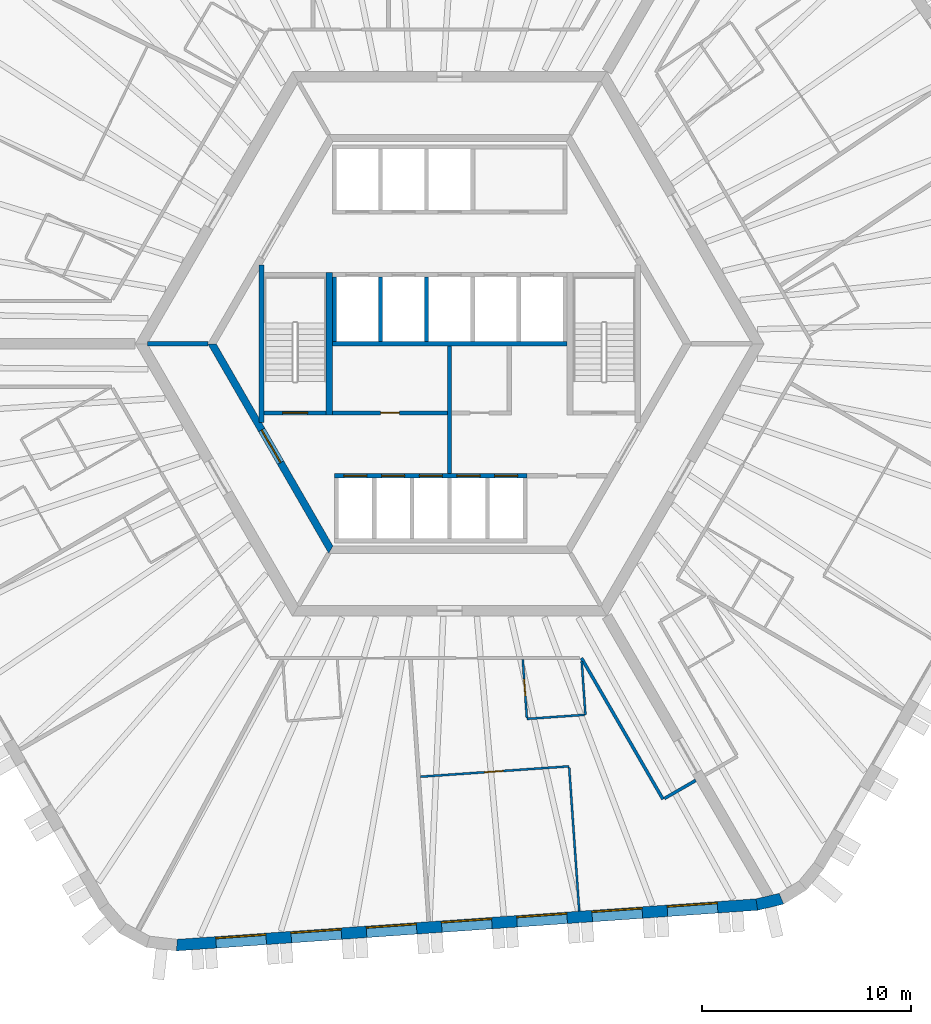
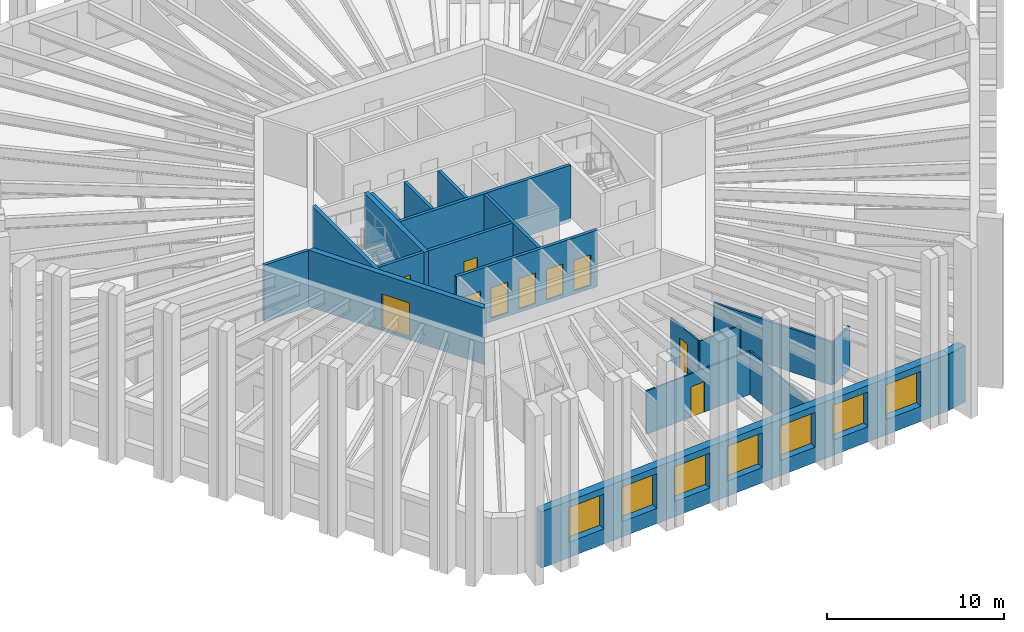
# One storey, part 4 of 10: 21 walls, 10 doors, 7 windows, 17 openings.
"""IFC4 building model written with IfcOpenShell, lengths in metres."""

import ifcopenshell
import ifcopenshell.guid

model = None  # the IFC model being written
_history = None  # IfcOwnerHistory: only IFC2X3 demands one
_inside = {}  # id of a spatial element -> (the spatial element, [elements in it])
_under = {}  # id of a project, library or spatial element -> (it, [spatial elements below it])
_declared = {}  # id of a project -> (the project, [libraries it declares])
_typed = {}  # id of a type object -> (the type object, [elements of that type])
_made_of = {}  # id of a material, layer set ... -> (it, [elements and type objects made of it])


def new_model(schema):
    """Start an empty IFC model of exactly this schema.

    Asked for "IFC4X3", IfcOpenShell would pick the latest addendum, in which some entities
    have other attributes; the version numbers below select the first issue.
    IFC2X3 requires an IfcOwnerHistory on every rooted entity: one is made here for all.
    """
    global model, _history
    if schema == "IFC4X3":
        model = ifcopenshell.file(schema_version=(4, 3, 0, 0))
    else:
        model = ifcopenshell.file(schema=schema)
    _inside.clear()
    _under.clear()
    _declared.clear()
    _typed.clear()
    _made_of.clear()
    _history = None
    if model.schema == "IFC2X3":
        org = make("IfcOrganization", Name="unknown")
        user = make(
            "IfcPersonAndOrganization",
            ThePerson=make("IfcPerson", FamilyName="unknown"),
            TheOrganization=org,
        )
        app = make(
            "IfcApplication",
            ApplicationDeveloper=org,
            Version="unknown",
            ApplicationFullName="unknown",
            ApplicationIdentifier="unknown",
        )
        _history = make(
            "IfcOwnerHistory",
            OwningUser=user,
            OwningApplication=app,
            ChangeAction="ADDED",
            CreationDate=0,
        )
    return model


def make(cls, **values):
    """One entity of the class cls with the attributes given. An attribute that is None is left unset."""
    return model.create_entity(
        cls, **{name: value for name, value in values.items() if value is not None}
    )


def rooted(cls, **values):
    """An entity with a GlobalId (a new one), such as an element, a storey or a relation."""
    return make(cls, GlobalId=ifcopenshell.guid.new(), OwnerHistory=_history, **values)


def si_unit(unit_type, name, prefix=None):
    """IfcSIUnit, for example si_unit("LENGTHUNIT", "METRE", prefix="MILLI")."""
    return make("IfcSIUnit", UnitType=unit_type, Prefix=prefix, Name=name)


def assignment(units):
    """IfcUnitAssignment: the units of a project."""
    return None if units is None else make("IfcUnitAssignment", Units=units)


def point(xyz):
    """IfcCartesianPoint."""
    return None if xyz is None else make("IfcCartesianPoint", Coordinates=xyz)


def direction(xyz):
    """IfcDirection."""
    return None if xyz is None else make("IfcDirection", DirectionRatios=xyz)


def frame(location, z_axis=None, x_axis=None):
    """IfcAxis2Placement3D, a coordinate frame: its origin and axes. An axis left out is left unset."""
    return make(
        "IfcAxis2Placement3D",
        Location=point(location),
        Axis=direction(z_axis),
        RefDirection=direction(x_axis),
    )


def frame_2d(location, x_axis=None):
    """IfcAxis2Placement2D, a coordinate frame in the plane: its origin and x axis."""
    return make(
        "IfcAxis2Placement2D", Location=point(location), RefDirection=direction(x_axis)
    )


def origin():
    """The frame at (0, 0, 0) with its axes left unset."""
    return frame((0.0, 0.0, 0.0))


def place(relative_to, where):
    """IfcLocalPlacement: puts the frame where relative to a parent placement (None: the world)."""
    return make(
        "IfcLocalPlacement", PlacementRelTo=relative_to, RelativePlacement=where
    )


def context(
    kind, dimensions, precision=None, world=None, true_north=None, identifier=None
):
    """IfcGeometricRepresentationContext, for example the 3D "Model" context."""
    return make(
        "IfcGeometricRepresentationContext",
        ContextIdentifier=identifier,
        ContextType=kind,
        CoordinateSpaceDimension=dimensions,
        Precision=precision,
        WorldCoordinateSystem=world,
        TrueNorth=true_north,
    )


def subcontext(parent, identifier, kind, view, scale=None):
    """IfcGeometricRepresentationSubContext, for example "Body" below "Model"."""
    return make(
        "IfcGeometricRepresentationSubContext",
        ContextIdentifier=identifier,
        ContextType=kind,
        ParentContext=parent,
        TargetScale=scale,
        TargetView=view,
    )


def project(units=None, contexts=None):
    """IfcProject with its units and contexts."""
    return rooted(
        "IfcProject",
        Name="project",
        RepresentationContexts=contexts,
        UnitsInContext=assignment(units),
    )


def spatial(cls, under=None, at=None, **own):
    """A site, building, storey or space (cls), placed at a placement, below another one or the project."""
    s = rooted(cls, ObjectPlacement=at, **own)
    if under is not None:
        _under.setdefault(under.id(), (under, []))[1].append(s)
    return s


def polyline(points):
    """IfcPolyline through the points."""
    return make("IfcPolyline", Points=[point(p) for p in points])


def profile(cls, at=None, kind="AREA", **sizes):
    """A parametric profile (cls). Its sizes go by their IFC names, for example OverallWidth=200.0."""
    return make(cls, ProfileType=kind, Position=at, **sizes)


def rectangle(**sizes):
    """IfcRectangleProfileDef."""
    return profile("IfcRectangleProfileDef", **sizes)


def outline(outer, holes=None, kind="AREA"):
    """IfcArbitraryClosedProfileDef: a profile drawn as a closed curve; with holes, ...WithVoids."""
    if holes is None:
        return make("IfcArbitraryClosedProfileDef", ProfileType=kind, OuterCurve=outer)
    return make(
        "IfcArbitraryProfileDefWithVoids",
        ProfileType=kind,
        OuterCurve=outer,
        InnerCurves=holes,
    )


def extrude(swept, where, along, depth):
    """IfcExtrudedAreaSolid: the profile swept, set in the frame where, extruded along a direction by depth."""
    return make(
        "IfcExtrudedAreaSolid",
        SweptArea=swept,
        Position=where,
        ExtrudedDirection=direction(along),
        Depth=depth,
    )


def shape(context_of_items, identifier, shape_type, items):
    """IfcShapeRepresentation: the items that make up one representation, for example the "Body"."""
    return make(
        "IfcShapeRepresentation",
        ContextOfItems=context_of_items,
        RepresentationIdentifier=identifier,
        RepresentationType=shape_type,
        Items=items,
    )


def material(Name=None, Category=None):
    """IfcMaterial."""
    return make("IfcMaterial", Name=Name, Category=Category)


def layer(
    of_material, thickness, ventilated=None, Name=None, Category=None, Priority=None
):
    """IfcMaterialLayer: one layer of a wall or slab, of a material (None: an air gap)."""
    return make(
        "IfcMaterialLayer",
        Material=of_material,
        LayerThickness=thickness,
        IsVentilated=ventilated,
        Name=Name,
        Category=Category,
        Priority=Priority,
    )


def layer_set(layers, Name=None):
    """IfcMaterialLayerSet."""
    return make("IfcMaterialLayerSet", MaterialLayers=layers, LayerSetName=Name)


def made_of(thing, what):
    """Note that an element or type object is made of a material, layer set ...; save() writes the relation."""
    if what is not None:
        _made_of.setdefault(what.id(), (what, []))[1].append(thing)
    return thing


def type_object(cls, material=None, **own):
    """A type object (cls), such as IfcWallType, which elements share."""
    return made_of(rooted(cls, **own), material)


def element(
    cls,
    number,
    at=None,
    inside=None,
    cuts=None,
    type_object=None,
    material=None,
    context=None,
    identifier="Body",
    shape_type=None,
    held_by="IfcProductDefinitionShape",
    body=None,
    shapes=None,
    **own,
):
    """One element of the class cls, such as IfcWall. Its Tag is "e" and its number.

    at: its placement. inside: the storey or other place that contains it. cuts: it is an
    opening in that element (IfcRelVoidsElement). A single representation is given by context,
    identifier, shape_type and body (its items); several are given by shapes. held_by: the class
    of the entity that holds the representations. save() writes the other relations.
    """
    e = rooted(cls, Tag="e%d" % number, ObjectPlacement=at, **own)
    if body is not None:
        shapes = [shape(context, identifier, shape_type, body)]
    if shapes is not None:
        e.Representation = make(held_by, Representations=shapes)
    if inside is not None:
        _inside.setdefault(inside.id(), (inside, []))[1].append(e)
    if cuts is not None:
        rooted(
            "IfcRelVoidsElement", RelatingBuildingElement=cuts, RelatedOpeningElement=e
        )
    if type_object is not None:
        _typed.setdefault(type_object.id(), (type_object, []))[1].append(e)
    return made_of(e, material)


def fill(opening, filler):
    """IfcRelFillsElement: the door or window that sits in an opening."""
    return rooted(
        "IfcRelFillsElement",
        RelatingOpeningElement=opening,
        RelatedBuildingElement=filler,
    )


def aggregate(whole, parts):
    """IfcRelAggregates: a whole, such as a stair, and the parts it consists of."""
    return rooted("IfcRelAggregates", RelatingObject=whole, RelatedObjects=parts)


def save(model, path):
    """Write the relations noted so far, then the file.

    IfcRelAggregates (storeys below a building ...), IfcRelContainedInSpatialStructure (elements
    in a storey), IfcRelDefinesByType, IfcRelAssociatesMaterial and IfcRelDeclares: one each for
    every whole, place, type object, material and project.
    """
    for whole, parts in _under.values():
        aggregate(whole, parts)
    for where, things in _inside.values():
        rooted(
            "IfcRelContainedInSpatialStructure",
            RelatedElements=things,
            RelatingStructure=where,
        )
    for kind, things in _typed.values():
        rooted("IfcRelDefinesByType", RelatedObjects=things, RelatingType=kind)
    for what, things in _made_of.values():
        rooted("IfcRelAssociatesMaterial", RelatedObjects=things, RelatingMaterial=what)
    for by, libraries in _declared.values():
        rooted("IfcRelDeclares", RelatingContext=by, RelatedDefinitions=libraries)
    model.write(path)


model = new_model("IFC4")

# Units and contexts
model_context = context("Model", 3, precision=1e-05, world=origin(), true_north=direction((0.0, 1.0)))
body_context = subcontext(model_context, "Body", "Model", "MODEL_VIEW")
ifc_project = project(units=[si_unit("LENGTHUNIT", "METRE"), si_unit("AREAUNIT", "SQUARE_METRE"), si_unit("VOLUMEUNIT", "CUBIC_METRE"), si_unit("PLANEANGLEUNIT", "RADIAN"), si_unit("MASSUNIT", "GRAM", prefix="KILO")], contexts=[model_context])

# Site, building, storey
site_placement = place(None, origin())
site = spatial("IfcSite", under=ifc_project, at=site_placement, CompositionType="ELEMENT")
building_placement = place(site_placement, origin())
building = spatial("IfcBuilding", under=site, at=building_placement, Name="Tarnside Tower", CompositionType="ELEMENT")
storey_placement = place(building_placement, frame((0.0, 0.0, 164.39990234375)))
storey = spatial("IfcBuildingStorey", under=building, at=storey_placement, Name="L38", CompositionType="ELEMENT", Elevation=164.39990234375)

# Walls
ifc_material_1 = material(Name="Gypsum board partition on steel studs", Category="steel")
ifc_layer_1 = layer(ifc_material_1, 0.10009765625)
ifc_layer_set_1 = layer_set([ifc_layer_1], Name="Bathroom wall 100")
wall_type_1 = type_object("IfcWallType", Name="Bathroom wall 100", PredefinedType="PARTITIONING", material=ifc_layer_set_1)
wall_1_placement = place(storey_placement, frame((6.30517578125, -15.170654296875, 0.0), z_axis=(0.0, 0.0, 1.0), x_axis=(0.069671554491, -0.99756998476, 0.0)))
element("IfcWall", 1, at=wall_1_placement, inside=storey, type_object=wall_type_1, Name="Bathroom wall 12081", PredefinedType="PARTITIONING", context=body_context, shape_type="SweptSolid", body=[
    extrude(rectangle(XDim=2.5439453125, YDim=0.10009765625, at=frame_2d((1.27197265625, 0.0))), origin(), (0.0, 0.0, 1.0), 2.98779296875),
])
wall_2_placement = place(storey_placement, frame((6.4326171875, -17.7119140625, 0.0), z_axis=(0.0, 0.0, 1.0), x_axis=(-0.997562614302, -0.069777005859, 0.0)))
element("IfcWall", 2, at=wall_2_placement, inside=storey, type_object=wall_type_1, Name="Bathroom wall 12082", PredefinedType="PARTITIONING", context=body_context, shape_type="SweptSolid", body=[
    extrude(rectangle(XDim=2.75, YDim=0.10009765625, at=frame_2d((1.375, 0.0))), origin(), (0.0, 0.0, 1.0), 2.98779296875),
])

# Wall, opening, door
wall_3_placement = place(storey_placement, frame((3.685791015625, -17.85400390625, 0.0), z_axis=(0.0, 0.0, 1.0), x_axis=(-0.069758488261, 0.997563909389, 0.0)))
wall_3 = element("IfcWall", 3, at=wall_3_placement, inside=storey, type_object=wall_type_1, Name="Bathroom wall 12083", PredefinedType="PARTITIONING", context=body_context, shape_type="SweptSolid", body=[
    extrude(rectangle(XDim=2.785888671875, YDim=0.10009765625, at=frame_2d((1.39306640625, 0.0))), origin(), (0.0, 0.0, 1.0), 2.98779296875),
])
opening_1_placement = place(wall_3_placement, frame((1.050048828125, 0.0, 0.0)))
opening_1 = element("IfcOpeningElement", 4, at=opening_1_placement, cuts=wall_3, Name="Opening D-B1", PredefinedType="OPENING", context=body_context, shape_type="SweptSolid", body=[
    extrude(rectangle(XDim=0.800048828125, YDim=2.10009765625, at=frame_2d((0.39990234375, 1.050048828125))), frame((0.0, 0.06005859375, 0.0), z_axis=(0.0, -1.0, 0.0), x_axis=(1.0, 0.0, 0.0)), (0.0, 0.0, 1.0), 0.1201171875),
])
ifc_material_2 = material(Name="Timber door leaf", Category="wood")
door_type_1 = type_object("IfcDoorType", Name="Bathroom door 800", OperationType="NOTDEFINED", PredefinedType="DOOR", material=ifc_material_2)
door_1_placement = place(opening_1_placement, origin())
door_1 = element("IfcDoor", 5, at=door_1_placement, inside=storey, type_object=door_type_1, Name="Bathroom door 12020", OperationType="SINGLE_SWING_LEFT", OverallHeight=2.10009765625, OverallWidth=0.800048828125, PredefinedType="DOOR", context=body_context, shape_type="SweptSolid", body=[
    extrude(rectangle(XDim=0.800048828125, YDim=2.10009765625, at=frame_2d((0.39990234375, 1.050048828125))), frame((0.0, 0.02490234375, 0.0), z_axis=(0.0, -1.0, 0.0), x_axis=(1.0, 0.0, 0.0)), (0.0, 0.0, 1.0), 0.050048828125),
])
fill(opening_1, door_1)

ifc_material_3 = material(Name="Concrete C50/60", Category="concrete")
ifc_layer_2 = layer(ifc_material_3, 0.35009765625)
ifc_layer_set_2 = layer_set([ifc_layer_2], Name="Core block wall 350 C50/60")
wall_type_2 = type_object("IfcWallType", Name="Core block wall 350 C50/60", PredefinedType="SHEAR", material=ifc_layer_set_2)
wall_4_placement = place(storey_placement, frame((-11.344970703125, 0.0, -0.14990234375), z_axis=(0.0, 0.0, 1.0), x_axis=(0.499995046907, -0.866028263435, 0.0)))
wall_4 = element("IfcWall", 6, at=wall_4_placement, inside=storey, type_object=wall_type_2, Name="L38 core block wall face 3", PredefinedType="SHEAR", context=body_context, shape_type="SweptSolid", body=[
    extrude(outline(polyline([(-0.10107421875, -0.175048828125), (11.44580078125, -0.175048828125), (11.24365234375, 0.175048828125), (0.10107421875, 0.175048828125), (-0.10107421875, -0.175048828125)])), origin(), (0.0, 0.0, 1.0), 3.89990234375),
])
opening_2_placement = place(wall_4_placement, frame((4.74365234375, 0.0, 0.14990234375)))
opening_2 = element("IfcOpeningElement", 7, at=opening_2_placement, cuts=wall_4, Name="Opening CD-FFL", PredefinedType="OPENING", context=body_context, shape_type="SweptSolid", body=[
    extrude(rectangle(XDim=1.800048828125, YDim=2.39990234375, at=frame_2d((0.89990234375, 1.199951171875))), frame((0.0, 0.18505859375, 0.0), z_axis=(0.0, -1.0, 0.0), x_axis=(1.0, 0.0, 0.0)), (0.0, 0.0, 1.0), 0.3701171875),
])
ifc_material_4 = material(Name="Steel fire door", Category="steel")
door_type_2 = type_object("IfcDoorType", Name="Firefighting lobby double door FD60S 1800x2400", OperationType="NOTDEFINED", PredefinedType="DOOR", material=ifc_material_4)
door_2_placement = place(opening_2_placement, origin())
door_2 = element("IfcDoor", 8, at=door_2_placement, inside=storey, type_object=door_type_2, Name="L38 lobby block door P3", OperationType="DOUBLE_DOOR_SINGLE_SWING", OverallHeight=2.39990234375, OverallWidth=1.800048828125, PredefinedType="DOOR", context=body_context, shape_type="SweptSolid", body=[
    extrude(rectangle(XDim=1.800048828125, YDim=2.39990234375, at=frame_2d((0.89990234375, 1.199951171875))), frame((0.0, 0.02490234375, 0.0), z_axis=(0.0, -1.0, 0.0), x_axis=(1.0, 0.0, 0.0)), (0.0, 0.0, 1.0), 0.050048828125),
])
fill(opening_2, door_2)

ifc_material_5 = material(Name="Concrete C40/50", Category="concrete")
ifc_layer_3 = layer(ifc_material_5, 0.199951171875)
ifc_layer_set_3 = layer_set([ifc_layer_3], Name="Core room partition 200 C40/50")
wall_type_3 = type_object("IfcWallType", Name="Core room partition 200 C40/50", PredefinedType="PARTITIONING", material=ifc_layer_set_3)
wall_5_placement = place(storey_placement, frame((-5.60009765625, -3.300048828125, 0.0), z_axis=(0.0, 0.0, 1.0), x_axis=(1.0, 0.0, 0.0)))
wall_5 = element("IfcWall", 9, at=wall_5_placement, inside=storey, type_object=wall_type_3, Name="L38 core partition W3", PredefinedType="PARTITIONING", context=body_context, shape_type="SweptSolid", body=[
    extrude(rectangle(XDim=5.5, YDim=0.199951171875, at=frame_2d((2.75, 0.0))), origin(), (0.0, 0.0, 1.0), 3.650146484375),
])
opening_3_placement = place(wall_5_placement, frame((2.300048828125, 0.0, 0.0)))
opening_3 = element("IfcOpeningElement", 10, at=opening_3_placement, cuts=wall_5, Name="Opening CD-room", PredefinedType="OPENING", context=body_context, shape_type="SweptSolid", body=[
    extrude(rectangle(XDim=0.89990234375, YDim=2.10009765625, at=frame_2d((0.449951171875, 1.050048828125))), frame((0.0, 0.10986328125, 0.0), z_axis=(0.0, -1.0, 0.0), x_axis=(1.0, 0.0, 0.0)), (0.0, 0.0, 1.0), 0.219970703125),
])
door_type_3 = type_object("IfcDoorType", Name="Room door FD60 900x2100", OperationType="NOTDEFINED", PredefinedType="DOOR", material=ifc_material_4)
door_3_placement = place(opening_3_placement, origin())
door_3 = element("IfcDoor", 11, at=door_3_placement, inside=storey, type_object=door_type_3, Name="L38 core room door W3D", OperationType="SINGLE_SWING_LEFT", OverallHeight=2.10009765625, OverallWidth=0.89990234375, PredefinedType="DOOR", context=body_context, shape_type="SweptSolid", body=[
    extrude(rectangle(XDim=0.89990234375, YDim=2.10009765625, at=frame_2d((0.449951171875, 1.050048828125))), frame((0.0, 0.02490234375, 0.0), z_axis=(0.0, -1.0, 0.0), x_axis=(1.0, 0.0, 0.0)), (0.0, 0.0, 1.0), 0.050048828125),
])
fill(opening_3, door_3)

# Walls
wall_6_placement = place(storey_placement, frame((0.0, -6.199951171875, 0.0), z_axis=(0.0, 0.0, 1.0), x_axis=(0.0, 1.0, 0.0)))
element("IfcWall", 12, at=wall_6_placement, inside=storey, type_object=wall_type_3, Name="L38 core partition X0", PredefinedType="PARTITIONING", context=body_context, shape_type="SweptSolid", body=[
    extrude(rectangle(XDim=6.099853515625, YDim=0.199951171875, at=frame_2d((3.0498046875, 0.0))), origin(), (0.0, 0.0, 1.0), 3.650146484375),
])
ifc_layer_4 = layer(ifc_material_1, 0.14990234375)
ifc_layer_set_4 = layer_set([ifc_layer_4], Name="Corridor wall 150 EI 60")
wall_type_4 = type_object("IfcWallType", Name="Corridor wall 150 EI 60", PredefinedType="PARTITIONING", material=ifc_layer_set_4)
wall_7_placement = place(storey_placement, frame((6.293212890625, -15.0, 0.0), z_axis=(0.0, 0.0, 1.0), x_axis=(0.499980313799, -0.86603676932, 0.0)))
element("IfcWall", 13, at=wall_7_placement, inside=storey, type_object=wall_type_4, Name="Corridor wall 12025", PredefinedType="PARTITIONING", context=body_context, shape_type="SweptSolid", body=[
    extrude(rectangle(XDim=7.785888671875, YDim=0.14990234375, at=frame_2d((3.89306640625, 0.0))), origin(), (0.0, 0.0, 1.0), 2.98779296875),
])
wall_8_placement = place(storey_placement, frame((10.2509765625, -21.705322265625, 0.0), z_axis=(0.0, 0.0, 1.0), x_axis=(0.866013532718, 0.500020560727, 0.0)))
element("IfcWall", 14, at=wall_8_placement, inside=storey, type_object=wall_type_4, Name="Corridor wall 12026", PredefinedType="PARTITIONING", context=body_context, shape_type="SweptSolid", body=[
    extrude(rectangle(XDim=1.72509765625, YDim=0.14990234375, at=frame_2d((0.862548828125, 0.0))), origin(), (0.0, 0.0, 1.0), 2.98779296875),
])
ifc_layer_5 = layer(ifc_material_5, 0.199951171875)
ifc_layer_set_5 = layer_set([ifc_layer_5], Name="Lift shaft wall 200 C40/50")
wall_type_5 = type_object("IfcWallType", Name="Lift shaft wall 200 C40/50", PredefinedType="SHEAR", material=ifc_layer_set_5)
wall_9_placement = place(storey_placement, frame((-5.60009765625, 0.0, -0.25), z_axis=(0.0, 0.0, 1.0), x_axis=(1.0, 0.0, 0.0)))
element("IfcWall", 15, at=wall_9_placement, inside=storey, type_object=wall_type_5, Name="L38 lift shaft back wall R2", PredefinedType="SHEAR", context=body_context, shape_type="SweptSolid", body=[
    extrude(rectangle(XDim=11.2001953125, YDim=0.199951171875, at=frame_2d((5.60009765625, 0.0))), origin(), (0.0, 0.0, 1.0), 3.900146484375),
])
for number, where, z_axis, x_axis, name in (
    (16, (-5.5, 0.10009765625, -0.25), (0.0, 0.0, 1.0), (0.0, 1.0, 0.0), "L38 lift shaft partition R21"),
    (17, (-3.300048828125, 0.10009765625, -0.25), (0.0, 0.0, 1.0), (0.0, 1.0, 0.0), "L38 lift shaft partition R22"),
    (18, (-1.10009765625, 0.10009765625, -0.25), (0.0, 0.0, 1.0), (0.0, 1.0, 0.0), "L38 lift shaft partition R23"),
):
    element("IfcWall", number, at=place(storey_placement, frame(where, z_axis=z_axis, x_axis=x_axis)), inside=storey, type_object=wall_type_5, Name=name, PredefinedType="SHEAR", context=body_context, shape_type="SweptSolid", body=[
        extrude(rectangle(XDim=3.099853515625, YDim=0.199951171875, at=frame_2d((1.5498046875, 0.0))), origin(), (0.0, 0.0, 1.0), 3.900146484375),
    ])

# Wall, openings, doors
wall_10_placement = place(storey_placement, frame((-5.5, -6.300048828125, -0.25), z_axis=(0.0, 0.0, 1.0), x_axis=(1.0, 0.0, 0.0)))
wall_10 = element("IfcWall", 19, at=wall_10_placement, inside=storey, type_object=wall_type_5, Name="L38 lift shaft front wall R4", PredefinedType="SHEAR", context=body_context, shape_type="SweptSolid", body=[
    extrude(rectangle(XDim=9.199951171875, YDim=0.199951171875, at=frame_2d((4.60009765625, 0.0))), origin(), (0.0, 0.0, 1.0), 3.900146484375),
])
opening_4_placement = place(wall_10_placement, frame((0.449951171875, 0.0, 0.25)))
opening_4 = element("IfcOpeningElement", 20, at=opening_4_placement, cuts=wall_10, Name="Opening LDF", PredefinedType="OPENING", context=body_context, shape_type="SweptSolid", body=[
    extrude(rectangle(XDim=1.10009765625, YDim=2.10009765625, at=frame_2d((0.550048828125, 1.050048828125))), frame((0.0, 0.10986328125, 0.0), z_axis=(0.0, -1.0, 0.0), x_axis=(1.0, 0.0, 0.0)), (0.0, 0.0, 1.0), 0.219970703125),
])
opening_5_placement = place(wall_10_placement, frame((2.25, 0.0, 0.25)))
opening_5 = element("IfcOpeningElement", 21, at=opening_5_placement, cuts=wall_10, Name="Opening LDF", PredefinedType="OPENING", context=body_context, shape_type="SweptSolid", body=[
    extrude(rectangle(XDim=1.10009765625, YDim=2.10009765625, at=frame_2d((0.550048828125, 1.050048828125))), frame((0.0, 0.10986328125, 0.0), z_axis=(0.0, -1.0, 0.0), x_axis=(1.0, 0.0, 0.0)), (0.0, 0.0, 1.0), 0.219970703125),
])
opening_6_placement = place(wall_10_placement, frame((4.050048828125, 0.0, 0.25)))
opening_6 = element("IfcOpeningElement", 22, at=opening_6_placement, cuts=wall_10, Name="Opening LDF", PredefinedType="OPENING", context=body_context, shape_type="SweptSolid", body=[
    extrude(rectangle(XDim=1.10009765625, YDim=2.10009765625, at=frame_2d((0.550048828125, 1.050048828125))), frame((0.0, 0.10986328125, 0.0), z_axis=(0.0, -1.0, 0.0), x_axis=(1.0, 0.0, 0.0)), (0.0, 0.0, 1.0), 0.219970703125),
])
opening_7_placement = place(wall_10_placement, frame((5.85009765625, 0.0, 0.25)))
opening_7 = element("IfcOpeningElement", 23, at=opening_7_placement, cuts=wall_10, Name="Opening LDF", PredefinedType="OPENING", context=body_context, shape_type="SweptSolid", body=[
    extrude(rectangle(XDim=1.10009765625, YDim=2.10009765625, at=frame_2d((0.550048828125, 1.050048828125))), frame((0.0, 0.10986328125, 0.0), z_axis=(0.0, -1.0, 0.0), x_axis=(1.0, 0.0, 0.0)), (0.0, 0.0, 1.0), 0.219970703125),
])
opening_8_placement = place(wall_10_placement, frame((7.64990234375, 0.0, 0.25)))
opening_8 = element("IfcOpeningElement", 24, at=opening_8_placement, cuts=wall_10, Name="Opening LDF", PredefinedType="OPENING", context=body_context, shape_type="SweptSolid", body=[
    extrude(rectangle(XDim=1.10009765625, YDim=2.10009765625, at=frame_2d((0.550048828125, 1.050048828125))), frame((0.0, 0.10986328125, 0.0), z_axis=(0.0, -1.0, 0.0), x_axis=(1.0, 0.0, 0.0)), (0.0, 0.0, 1.0), 0.219970703125),
])
ifc_material_6 = material(Name="Stainless steel", Category="steel")
door_type_4 = type_object("IfcDoorType", Name="Lift landing door 1100x2100 EI 120", OperationType="NOTDEFINED", PredefinedType="DOOR", material=ifc_material_6)
door_4_placement = place(opening_4_placement, origin())
door_4 = element("IfcDoor", 25, at=door_4_placement, inside=storey, type_object=door_type_4, Name="Firefighting lift 1 landing door L38", OperationType="SLIDING_TO_LEFT", OverallHeight=2.10009765625, OverallWidth=1.10009765625, PredefinedType="DOOR", context=body_context, shape_type="SweptSolid", body=[
    extrude(rectangle(XDim=1.10009765625, YDim=2.10009765625, at=frame_2d((0.550048828125, 1.050048828125))), frame((0.0, 0.02490234375, 0.0), z_axis=(0.0, -1.0, 0.0), x_axis=(1.0, 0.0, 0.0)), (0.0, 0.0, 1.0), 0.050048828125),
])
fill(opening_4, door_4)
door_5_placement = place(opening_5_placement, origin())
door_5 = element("IfcDoor", 26, at=door_5_placement, inside=storey, type_object=door_type_4, Name="Firefighting lift 2 landing door L38", OperationType="SLIDING_TO_LEFT", OverallHeight=2.10009765625, OverallWidth=1.10009765625, PredefinedType="DOOR", context=body_context, shape_type="SweptSolid", body=[
    extrude(rectangle(XDim=1.10009765625, YDim=2.10009765625, at=frame_2d((0.550048828125, 1.050048828125))), frame((0.0, 0.02490234375, 0.0), z_axis=(0.0, -1.0, 0.0), x_axis=(1.0, 0.0, 0.0)), (0.0, 0.0, 1.0), 0.050048828125),
])
fill(opening_5, door_5)
door_6_placement = place(opening_6_placement, origin())
door_6 = element("IfcDoor", 27, at=door_6_placement, inside=storey, type_object=door_type_4, Name="Firefighting lift 3 landing door L38", OperationType="SLIDING_TO_LEFT", OverallHeight=2.10009765625, OverallWidth=1.10009765625, PredefinedType="DOOR", context=body_context, shape_type="SweptSolid", body=[
    extrude(rectangle(XDim=1.10009765625, YDim=2.10009765625, at=frame_2d((0.550048828125, 1.050048828125))), frame((0.0, 0.02490234375, 0.0), z_axis=(0.0, -1.0, 0.0), x_axis=(1.0, 0.0, 0.0)), (0.0, 0.0, 1.0), 0.050048828125),
])
fill(opening_6, door_6)
door_7_placement = place(opening_7_placement, origin())
door_7 = element("IfcDoor", 28, at=door_7_placement, inside=storey, type_object=door_type_4, Name="Firefighting lift 4 landing door L38", OperationType="SLIDING_TO_LEFT", OverallHeight=2.10009765625, OverallWidth=1.10009765625, PredefinedType="DOOR", context=body_context, shape_type="SweptSolid", body=[
    extrude(rectangle(XDim=1.10009765625, YDim=2.10009765625, at=frame_2d((0.550048828125, 1.050048828125))), frame((0.0, 0.02490234375, 0.0), z_axis=(0.0, -1.0, 0.0), x_axis=(1.0, 0.0, 0.0)), (0.0, 0.0, 1.0), 0.050048828125),
])
fill(opening_7, door_7)
door_8_placement = place(opening_8_placement, origin())
door_8 = element("IfcDoor", 29, at=door_8_placement, inside=storey, type_object=door_type_4, Name="Firefighting lift 5 landing door L38", OperationType="SLIDING_TO_LEFT", OverallHeight=2.10009765625, OverallWidth=1.10009765625, PredefinedType="DOOR", context=body_context, shape_type="SweptSolid", body=[
    extrude(rectangle(XDim=1.10009765625, YDim=2.10009765625, at=frame_2d((0.550048828125, 1.050048828125))), frame((0.0, 0.02490234375, 0.0), z_axis=(0.0, -1.0, 0.0), x_axis=(1.0, 0.0, 0.0)), (0.0, 0.0, 1.0), 0.050048828125),
])
fill(opening_8, door_8)

# Wall
wall_11_placement = place(storey_placement, frame((-11.547119140625, 0.0, -0.14990234375), z_axis=(0.0, 0.0, 1.0), x_axis=(-1.0, 0.0, 0.0)))
element("IfcWall", 30, at=wall_11_placement, inside=storey, type_object=wall_type_5, Name="L38 core partition AR180", PredefinedType="SHEAR", context=body_context, shape_type="SweptSolid", body=[
    extrude(rectangle(XDim=2.88671875, YDim=0.199951171875, at=frame_2d((1.443359375, 0.0))), origin(), (0.0, 0.0, 1.0), 3.89990234375),
])

# Wall, opening, door
wall_12_placement = place(storey_placement, frame((-8.85009765625, -3.300048828125, -0.25), z_axis=(0.0, 0.0, 1.0), x_axis=(1.0, 0.0, 0.0)))
wall_12 = element("IfcWall", 31, at=wall_12_placement, inside=storey, type_object=wall_type_5, Name="L38 stair 2 enclosure cap wall s", PredefinedType="SHEAR", context=body_context, shape_type="SweptSolid", body=[
    extrude(rectangle(XDim=2.9501953125, YDim=0.199951171875, at=frame_2d((1.47509765625, 0.0))), origin(), (0.0, 0.0, 1.0), 3.900146484375),
])
opening_9_placement = place(wall_12_placement, frame((0.875, 0.0, 0.25)))
opening_9 = element("IfcOpeningElement", 32, at=opening_9_placement, cuts=wall_12, Name="Opening CD-STR", PredefinedType="OPENING", context=body_context, shape_type="SweptSolid", body=[
    extrude(rectangle(XDim=1.199951171875, YDim=2.39990234375, at=frame_2d((0.60009765625, 1.199951171875))), frame((0.0, 0.10986328125, 0.0), z_axis=(0.0, -1.0, 0.0), x_axis=(1.0, 0.0, 0.0)), (0.0, 0.0, 1.0), 0.219970703125),
])
door_type_5 = type_object("IfcDoorType", Name="Stair door FD60S 1200x2400", OperationType="NOTDEFINED", PredefinedType="DOOR", material=ifc_material_4)
door_9_placement = place(opening_9_placement, origin())
door_9 = element("IfcDoor", 33, at=door_9_placement, inside=storey, type_object=door_type_5, Name="L38 stair 2 door", OperationType="SINGLE_SWING_LEFT", OverallHeight=2.39990234375, OverallWidth=1.199951171875, PredefinedType="DOOR", context=body_context, shape_type="SweptSolid", body=[
    extrude(rectangle(XDim=1.199951171875, YDim=2.39990234375, at=frame_2d((0.60009765625, 1.199951171875))), frame((0.0, 0.02490234375, 0.0), z_axis=(0.0, -1.0, 0.0), x_axis=(1.0, 0.0, 0.0)), (0.0, 0.0, 1.0), 0.050048828125),
])
fill(opening_9, door_9)

ifc_layer_6 = layer(ifc_material_1, 0.10009765625)
ifc_layer_set_6 = layer_set([ifc_layer_6], Name="Partition 100")
wall_type_6 = type_object("IfcWallType", Name="Partition 100", PredefinedType="PARTITIONING", material=ifc_layer_set_6)
wall_13_placement = place(storey_placement, frame((-1.389892578125, -20.664794921875, 0.0), z_axis=(0.0, 0.0, 1.0), x_axis=(0.997565277642, 0.069738919141, 0.0)))
wall_13 = element("IfcWall", 34, at=wall_13_placement, inside=storey, type_object=wall_type_6, Name="Partition wall 12084", PredefinedType="PARTITIONING", context=body_context, shape_type="SweptSolid", body=[
    extrude(rectangle(XDim=7.110107421875, YDim=0.10009765625, at=frame_2d((3.55517578125, 0.0))), origin(), (0.0, 0.0, 1.0), 2.98779296875),
])
opening_10_placement = place(wall_13_placement, frame((3.06005859375, 0.0, 0.0)))
opening_10 = element("IfcOpeningElement", 35, at=opening_10_placement, cuts=wall_13, Name="Opening D-I1", PredefinedType="OPENING", context=body_context, shape_type="SweptSolid", body=[
    extrude(rectangle(XDim=0.89990234375, YDim=2.10009765625, at=frame_2d((0.449951171875, 1.050048828125))), frame((0.0, 0.06005859375, 0.0), z_axis=(0.0, -1.0, 0.0), x_axis=(1.0, 0.0, 0.0)), (0.0, 0.0, 1.0), 0.1201171875),
])
door_type_6 = type_object("IfcDoorType", Name="Internal door 900", OperationType="NOTDEFINED", PredefinedType="DOOR", material=ifc_material_2)
door_10_placement = place(opening_10_placement, origin())
door_10 = element("IfcDoor", 36, at=door_10_placement, inside=storey, type_object=door_type_6, Name="Internal door 12021", OperationType="SINGLE_SWING_RIGHT", OverallHeight=2.10009765625, OverallWidth=0.89990234375, PredefinedType="DOOR", context=body_context, shape_type="SweptSolid", body=[
    extrude(rectangle(XDim=0.89990234375, YDim=2.10009765625, at=frame_2d((0.449951171875, 1.050048828125))), frame((0.0, 0.02490234375, 0.0), z_axis=(0.0, -1.0, 0.0), x_axis=(1.0, 0.0, 0.0)), (0.0, 0.0, 1.0), 0.050048828125),
])
fill(opening_10, door_10)

# Walls
wall_14_placement = place(storey_placement, frame((5.706298828125, -20.21875, 0.0), z_axis=(0.0, 0.0, 1.0), x_axis=(0.069774766037, -0.99756277097, 0.0)))
element("IfcWall", 37, at=wall_14_placement, inside=storey, type_object=wall_type_6, Name="Partition wall 12085", PredefinedType="PARTITIONING", context=body_context, shape_type="SweptSolid", body=[
    extrude(rectangle(XDim=6.882568359375, YDim=0.10009765625, at=frame_2d((3.44140625, 0.0))), origin(), (0.0, 0.0, 1.0), 2.98779296875),
])
ifc_layer_7 = layer(ifc_material_5, 0.25)
ifc_layer_set_7 = layer_set([ifc_layer_7], Name="Stair enclosure wall 250 C40/50")
wall_type_7 = type_object("IfcWallType", Name="Stair enclosure wall 250 C40/50", PredefinedType="SHEAR", material=ifc_layer_set_7)
wall_15_placement = place(storey_placement, frame((-8.97509765625, -3.7548828125, -0.25), z_axis=(0.0, 0.0, 1.0), x_axis=(0.0, 1.0, 0.0)))
element("IfcWall", 38, at=wall_15_placement, inside=storey, type_object=wall_type_7, Name="L38 stair 2 enclosure wall outer", PredefinedType="SHEAR", context=body_context, shape_type="SweptSolid", body=[
    extrude(rectangle(XDim=7.509765625, YDim=0.25, at=frame_2d((3.7548828125, 0.0))), origin(), (0.0, 0.0, 1.0), 3.900146484375),
])
ifc_layer_8 = layer(ifc_material_5, 0.300048828125)
ifc_layer_set_8 = layer_set([ifc_layer_8], Name="Stair enclosure wall 300 C40/50")
wall_type_8 = type_object("IfcWallType", Name="Stair enclosure wall 300 C40/50", PredefinedType="SHEAR", material=ifc_layer_set_8)
wall_16_placement = place(storey_placement, frame((-5.75, -3.39990234375, -0.25), z_axis=(0.0, 0.0, 1.0), x_axis=(0.0, 1.0, 0.0)))
element("IfcWall", 39, at=wall_16_placement, inside=storey, type_object=wall_type_8, Name="L38 stair 2 enclosure wall inner", PredefinedType="SHEAR", context=body_context, shape_type="SweptSolid", body=[
    extrude(rectangle(XDim=6.7998046875, YDim=0.300048828125, at=frame_2d((3.39990234375, 0.0))), origin(), (0.0, 0.0, 1.0), 3.900146484375),
])

# Wall, openings, windows
ifc_material_7 = material(Name="Facing brick", Category="masonry")
ifc_layer_9 = layer(ifc_material_7, 0.10205078125)
ifc_material_8 = material(Name="Concrete C60/75 precast", Category="concrete")
ifc_layer_10 = layer(ifc_material_8, 0.347900390625)
ifc_material_9 = material(Name="Mineral wool insulation")
ifc_layer_11 = layer(ifc_material_9, 0.10009765625)
ifc_layer_set_9 = layer_set([ifc_layer_9, ifc_layer_10, ifc_layer_11], Name="Tube wall 550 brick faced")
wall_type_9 = type_object("IfcWallType", Name="Tube wall 550 brick faced", PredefinedType="SOLIDWALL", material=ifc_layer_set_9)
wall_17_placement = place(storey_placement, frame((-13.0263671875, -28.70361328125, -0.14990234375), z_axis=(0.0, 0.0, 1.0), x_axis=(0.99756406806, 0.069756219185, 0.0)))
wall_17 = element("IfcWall", 40, at=wall_17_placement, inside=storey, type_object=wall_type_9, Name="Tube wall L38 F4 flush 12", PredefinedType="SOLIDWALL", context=body_context, shape_type="SweptSolid", body=[
    extrude(outline(polyline([(-0.025634765625, -0.27490234375), (27.7802734375, -0.27490234375), (27.7353515625, 0.27490234375), (0.025634765625, 0.27490234375), (-0.025634765625, -0.27490234375)])), origin(), (0.0, 0.0, 1.0), 3.89990234375),
])
opening_11_placement = place(wall_17_placement, frame((1.87890625, 0.0, 1.050048828125)))
opening_11 = element("IfcOpeningElement", 41, at=opening_11_placement, cuts=wall_17, Name="Opening WH", PredefinedType="OPENING", context=body_context, shape_type="SweptSolid", body=[
    extrude(rectangle(XDim=2.39990234375, YDim=2.39990234375, at=frame_2d((1.199951171875, 1.199951171875))), frame((0.0, 0.28515625, 0.0), z_axis=(0.0, -1.0, 0.0), x_axis=(1.0, 0.0, 0.0)), (0.0, 0.0, 1.0), 0.570068359375),
])
opening_12_placement = place(wall_17_placement, frame((5.47900390625, 0.0, 1.050048828125)))
opening_12 = element("IfcOpeningElement", 42, at=opening_12_placement, cuts=wall_17, Name="Opening WH", PredefinedType="OPENING", context=body_context, shape_type="SweptSolid", body=[
    extrude(rectangle(XDim=2.39990234375, YDim=2.39990234375, at=frame_2d((1.199951171875, 1.199951171875))), frame((0.0, 0.28515625, 0.0), z_axis=(0.0, -1.0, 0.0), x_axis=(1.0, 0.0, 0.0)), (0.0, 0.0, 1.0), 0.570068359375),
])
opening_13_placement = place(wall_17_placement, frame((9.078857421875, 0.0, 1.050048828125)))
opening_13 = element("IfcOpeningElement", 43, at=opening_13_placement, cuts=wall_17, Name="Opening WH", PredefinedType="OPENING", context=body_context, shape_type="SweptSolid", body=[
    extrude(rectangle(XDim=2.39990234375, YDim=2.39990234375, at=frame_2d((1.199951171875, 1.199951171875))), frame((0.0, 0.28515625, 0.0), z_axis=(0.0, -1.0, 0.0), x_axis=(1.0, 0.0, 0.0)), (0.0, 0.0, 1.0), 0.570068359375),
])
opening_14_placement = place(wall_17_placement, frame((12.678955078125, 0.0, 1.050048828125)))
opening_14 = element("IfcOpeningElement", 44, at=opening_14_placement, cuts=wall_17, Name="Opening WH", PredefinedType="OPENING", context=body_context, shape_type="SweptSolid", body=[
    extrude(rectangle(XDim=2.39990234375, YDim=2.39990234375, at=frame_2d((1.199951171875, 1.199951171875))), frame((0.0, 0.28515625, 0.0), z_axis=(0.0, -1.0, 0.0), x_axis=(1.0, 0.0, 0.0)), (0.0, 0.0, 1.0), 0.570068359375),
])
opening_15_placement = place(wall_17_placement, frame((16.27880859375, 0.0, 1.050048828125)))
opening_15 = element("IfcOpeningElement", 45, at=opening_15_placement, cuts=wall_17, Name="Opening WH", PredefinedType="OPENING", context=body_context, shape_type="SweptSolid", body=[
    extrude(rectangle(XDim=2.39990234375, YDim=2.39990234375, at=frame_2d((1.199951171875, 1.199951171875))), frame((0.0, 0.28515625, 0.0), z_axis=(0.0, -1.0, 0.0), x_axis=(1.0, 0.0, 0.0)), (0.0, 0.0, 1.0), 0.570068359375),
])
opening_16_placement = place(wall_17_placement, frame((19.87890625, 0.0, 1.050048828125)))
opening_16 = element("IfcOpeningElement", 46, at=opening_16_placement, cuts=wall_17, Name="Opening WH", PredefinedType="OPENING", context=body_context, shape_type="SweptSolid", body=[
    extrude(rectangle(XDim=2.39990234375, YDim=2.39990234375, at=frame_2d((1.199951171875, 1.199951171875))), frame((0.0, 0.28515625, 0.0), z_axis=(0.0, -1.0, 0.0), x_axis=(1.0, 0.0, 0.0)), (0.0, 0.0, 1.0), 0.570068359375),
])
opening_17_placement = place(wall_17_placement, frame((23.47900390625, 0.0, 1.050048828125)))
opening_17 = element("IfcOpeningElement", 47, at=opening_17_placement, cuts=wall_17, Name="Opening WH", PredefinedType="OPENING", context=body_context, shape_type="SweptSolid", body=[
    extrude(rectangle(XDim=2.39990234375, YDim=2.39990234375, at=frame_2d((1.199951171875, 1.199951171875))), frame((0.0, 0.28515625, 0.0), z_axis=(0.0, -1.0, 0.0), x_axis=(1.0, 0.0, 0.0)), (0.0, 0.0, 1.0), 0.570068359375),
])
ifc_material_10 = material(Name="Aluminium-framed double glazing", Category="aluminium")
window_type = type_object("IfcWindowType", Name="Hotel window 2400 x 2400", PartitioningType="DOUBLE_PANEL_VERTICAL", PredefinedType="WINDOW", material=ifc_material_10)
window_1_placement = place(opening_11_placement, frame((0.0, 0.205078125, 0.0)))
window_1 = element("IfcWindow", 48, at=window_1_placement, inside=storey, type_object=window_type, Name="E.WN.L38.F4.00", OverallHeight=2.39990234375, OverallWidth=2.39990234375, PartitioningType="DOUBLE_PANEL_VERTICAL", PredefinedType="WINDOW", context=body_context, shape_type="SweptSolid", body=[
    extrude(rectangle(XDim=2.39990234375, YDim=2.39990234375, at=frame_2d((1.199951171875, 1.199951171875))), frame((0.0, 0.030029296875, 0.0), z_axis=(0.0, -1.0, 0.0), x_axis=(1.0, 0.0, 0.0)), (0.0, 0.0, 1.0), 0.06005859375),
])
fill(opening_11, window_1)
window_2_placement = place(opening_12_placement, frame((0.0, 0.205078125, 0.0)))
window_2 = element("IfcWindow", 49, at=window_2_placement, inside=storey, type_object=window_type, Name="E.WN.L38.F4.01", OverallHeight=2.39990234375, OverallWidth=2.39990234375, PartitioningType="DOUBLE_PANEL_VERTICAL", PredefinedType="WINDOW", context=body_context, shape_type="SweptSolid", body=[
    extrude(rectangle(XDim=2.39990234375, YDim=2.39990234375, at=frame_2d((1.199951171875, 1.199951171875))), frame((0.0, 0.030029296875, 0.0), z_axis=(0.0, -1.0, 0.0), x_axis=(1.0, 0.0, 0.0)), (0.0, 0.0, 1.0), 0.06005859375),
])
fill(opening_12, window_2)
window_3_placement = place(opening_13_placement, frame((0.0, 0.205078125, 0.0)))
window_3 = element("IfcWindow", 50, at=window_3_placement, inside=storey, type_object=window_type, Name="E.WN.L38.F4.02", OverallHeight=2.39990234375, OverallWidth=2.39990234375, PartitioningType="DOUBLE_PANEL_VERTICAL", PredefinedType="WINDOW", context=body_context, shape_type="SweptSolid", body=[
    extrude(rectangle(XDim=2.39990234375, YDim=2.39990234375, at=frame_2d((1.199951171875, 1.199951171875))), frame((0.0, 0.030029296875, 0.0), z_axis=(0.0, -1.0, 0.0), x_axis=(1.0, 0.0, 0.0)), (0.0, 0.0, 1.0), 0.06005859375),
])
fill(opening_13, window_3)
window_4_placement = place(opening_14_placement, frame((0.0, 0.205078125, 0.0)))
window_4 = element("IfcWindow", 51, at=window_4_placement, inside=storey, type_object=window_type, Name="E.WN.L38.F4.03", OverallHeight=2.39990234375, OverallWidth=2.39990234375, PartitioningType="DOUBLE_PANEL_VERTICAL", PredefinedType="WINDOW", context=body_context, shape_type="SweptSolid", body=[
    extrude(rectangle(XDim=2.39990234375, YDim=2.39990234375, at=frame_2d((1.199951171875, 1.199951171875))), frame((0.0, 0.030029296875, 0.0), z_axis=(0.0, -1.0, 0.0), x_axis=(1.0, 0.0, 0.0)), (0.0, 0.0, 1.0), 0.06005859375),
])
fill(opening_14, window_4)
window_5_placement = place(opening_15_placement, frame((0.0, 0.205078125, 0.0)))
window_5 = element("IfcWindow", 52, at=window_5_placement, inside=storey, type_object=window_type, Name="E.WN.L38.F4.04", OverallHeight=2.39990234375, OverallWidth=2.39990234375, PartitioningType="DOUBLE_PANEL_VERTICAL", PredefinedType="WINDOW", context=body_context, shape_type="SweptSolid", body=[
    extrude(rectangle(XDim=2.39990234375, YDim=2.39990234375, at=frame_2d((1.199951171875, 1.199951171875))), frame((0.0, 0.030029296875, 0.0), z_axis=(0.0, -1.0, 0.0), x_axis=(1.0, 0.0, 0.0)), (0.0, 0.0, 1.0), 0.06005859375),
])
fill(opening_15, window_5)
window_6_placement = place(opening_16_placement, frame((0.0, 0.205078125, 0.0)))
window_6 = element("IfcWindow", 53, at=window_6_placement, inside=storey, type_object=window_type, Name="E.WN.L38.F4.05", OverallHeight=2.39990234375, OverallWidth=2.39990234375, PartitioningType="DOUBLE_PANEL_VERTICAL", PredefinedType="WINDOW", context=body_context, shape_type="SweptSolid", body=[
    extrude(rectangle(XDim=2.39990234375, YDim=2.39990234375, at=frame_2d((1.199951171875, 1.199951171875))), frame((0.0, 0.030029296875, 0.0), z_axis=(0.0, -1.0, 0.0), x_axis=(1.0, 0.0, 0.0)), (0.0, 0.0, 1.0), 0.06005859375),
])
fill(opening_16, window_6)
window_7_placement = place(opening_17_placement, frame((0.0, 0.205078125, 0.0)))
window_7 = element("IfcWindow", 54, at=window_7_placement, inside=storey, type_object=window_type, Name="E.WN.L38.F4.06", OverallHeight=2.39990234375, OverallWidth=2.39990234375, PartitioningType="DOUBLE_PANEL_VERTICAL", PredefinedType="WINDOW", context=body_context, shape_type="SweptSolid", body=[
    extrude(rectangle(XDim=2.39990234375, YDim=2.39990234375, at=frame_2d((1.199951171875, 1.199951171875))), frame((0.0, 0.030029296875, 0.0), z_axis=(0.0, -1.0, 0.0), x_axis=(1.0, 0.0, 0.0)), (0.0, 0.0, 1.0), 0.06005859375),
])
fill(opening_17, window_7)

# Wall
wall_18_placement = place(storey_placement, frame((14.663818359375, -26.767333984375, -0.14990234375), z_axis=(0.0, 0.0, 1.0), x_axis=(0.973063591128, 0.230536868247, 0.0)))
element("IfcWall", 55, at=wall_18_placement, inside=storey, type_object=wall_type_9, Name="Tube wall L38 F4 chord 13", PredefinedType="SOLIDWALL", context=body_context, shape_type="SweptSolid", body=[
    extrude(outline(polyline([(-0.0224609375, -0.27490234375), (1.25341796875, -0.27490234375), (1.1630859375, 0.27490234375), (0.0224609375, 0.27490234375), (-0.0224609375, -0.27490234375)])), origin(), (0.0, 0.0, 1.0), 3.89990234375),
])

save(model, "model.ifc")
